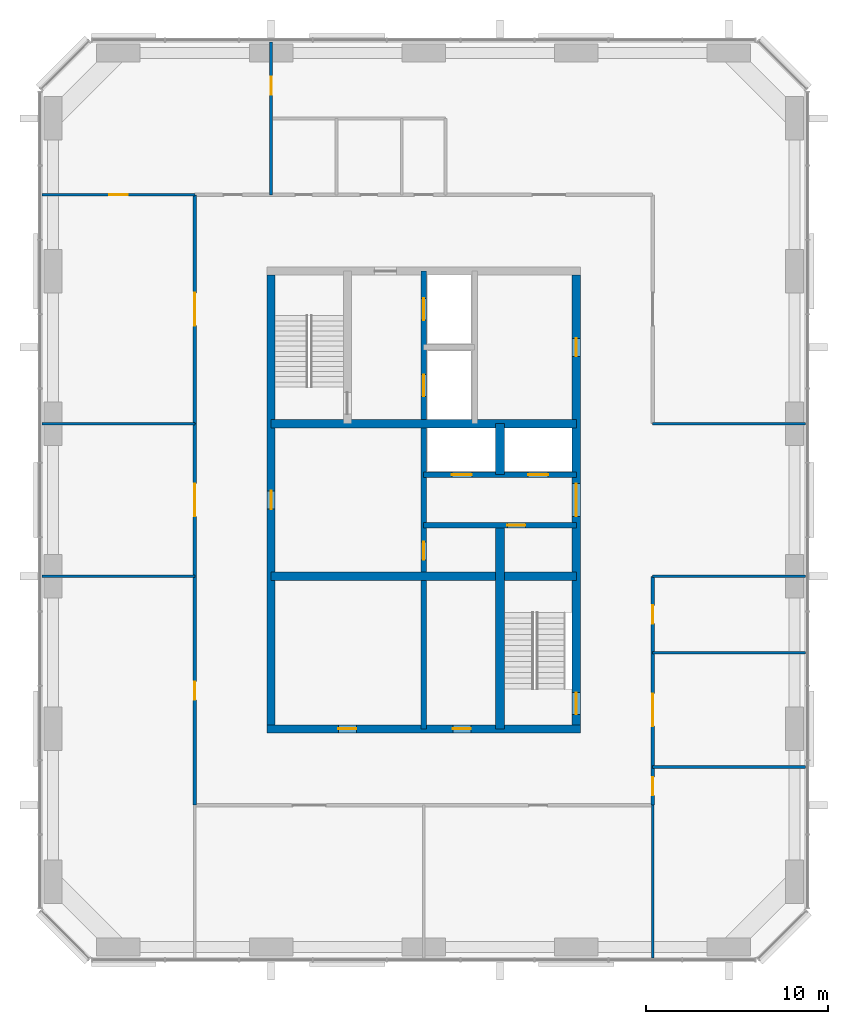
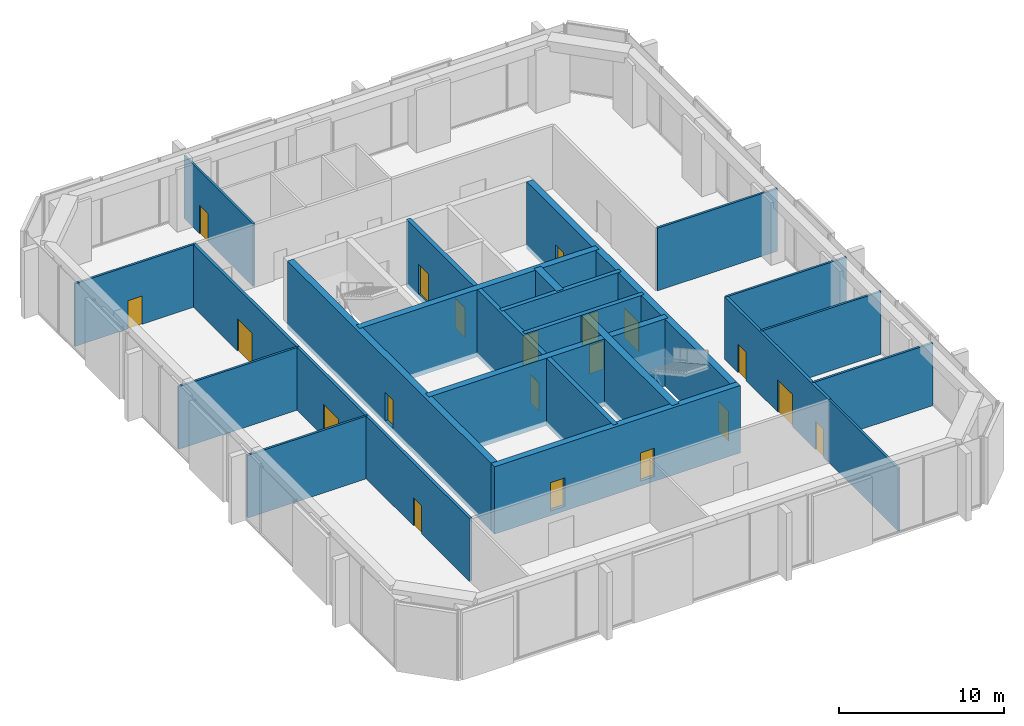
# One storey, part 7 of 9: 22 walls, 20 doors, 20 openings.
"""IFC4 building model written with IfcOpenShell, lengths in metres."""

import ifcopenshell
import ifcopenshell.guid

model = None  # the IFC model being written
_history = None  # IfcOwnerHistory: only IFC2X3 demands one
_inside = {}  # id of a spatial element -> (the spatial element, [elements in it])
_under = {}  # id of a project, library or spatial element -> (it, [spatial elements below it])
_declared = {}  # id of a project -> (the project, [libraries it declares])
_typed = {}  # id of a type object -> (the type object, [elements of that type])
_made_of = {}  # id of a material, layer set ... -> (it, [elements and type objects made of it])


def new_model(schema):
    """Start an empty IFC model of exactly this schema.

    Asked for "IFC4X3", IfcOpenShell would pick the latest addendum, in which some entities
    have other attributes; the version numbers below select the first issue.
    IFC2X3 requires an IfcOwnerHistory on every rooted entity: one is made here for all.
    """
    global model, _history
    if schema == "IFC4X3":
        model = ifcopenshell.file(schema_version=(4, 3, 0, 0))
    else:
        model = ifcopenshell.file(schema=schema)
    _inside.clear()
    _under.clear()
    _declared.clear()
    _typed.clear()
    _made_of.clear()
    _history = None
    if model.schema == "IFC2X3":
        org = make("IfcOrganization", Name="unknown")
        user = make(
            "IfcPersonAndOrganization",
            ThePerson=make("IfcPerson", FamilyName="unknown"),
            TheOrganization=org,
        )
        app = make(
            "IfcApplication",
            ApplicationDeveloper=org,
            Version="unknown",
            ApplicationFullName="unknown",
            ApplicationIdentifier="unknown",
        )
        _history = make(
            "IfcOwnerHistory",
            OwningUser=user,
            OwningApplication=app,
            ChangeAction="ADDED",
            CreationDate=0,
        )
    return model


def make(cls, **values):
    """One entity of the class cls with the attributes given. An attribute that is None is left unset."""
    return model.create_entity(
        cls, **{name: value for name, value in values.items() if value is not None}
    )


def rooted(cls, **values):
    """An entity with a GlobalId (a new one), such as an element, a storey or a relation."""
    return make(cls, GlobalId=ifcopenshell.guid.new(), OwnerHistory=_history, **values)


def si_unit(unit_type, name, prefix=None):
    """IfcSIUnit, for example si_unit("LENGTHUNIT", "METRE", prefix="MILLI")."""
    return make("IfcSIUnit", UnitType=unit_type, Prefix=prefix, Name=name)


def assignment(units):
    """IfcUnitAssignment: the units of a project."""
    return None if units is None else make("IfcUnitAssignment", Units=units)


def point(xyz):
    """IfcCartesianPoint."""
    return None if xyz is None else make("IfcCartesianPoint", Coordinates=xyz)


def direction(xyz):
    """IfcDirection."""
    return None if xyz is None else make("IfcDirection", DirectionRatios=xyz)


def frame(location, z_axis=None, x_axis=None):
    """IfcAxis2Placement3D, a coordinate frame: its origin and axes. An axis left out is left unset."""
    return make(
        "IfcAxis2Placement3D",
        Location=point(location),
        Axis=direction(z_axis),
        RefDirection=direction(x_axis),
    )


def frame_2d(location, x_axis=None):
    """IfcAxis2Placement2D, a coordinate frame in the plane: its origin and x axis."""
    return make(
        "IfcAxis2Placement2D", Location=point(location), RefDirection=direction(x_axis)
    )


def origin():
    """The frame at (0, 0, 0) with its axes left unset."""
    return frame((0.0, 0.0, 0.0))


def place(relative_to, where):
    """IfcLocalPlacement: puts the frame where relative to a parent placement (None: the world)."""
    return make(
        "IfcLocalPlacement", PlacementRelTo=relative_to, RelativePlacement=where
    )


def context(
    kind, dimensions, precision=None, world=None, true_north=None, identifier=None
):
    """IfcGeometricRepresentationContext, for example the 3D "Model" context."""
    return make(
        "IfcGeometricRepresentationContext",
        ContextIdentifier=identifier,
        ContextType=kind,
        CoordinateSpaceDimension=dimensions,
        Precision=precision,
        WorldCoordinateSystem=world,
        TrueNorth=true_north,
    )


def subcontext(parent, identifier, kind, view, scale=None):
    """IfcGeometricRepresentationSubContext, for example "Body" below "Model"."""
    return make(
        "IfcGeometricRepresentationSubContext",
        ContextIdentifier=identifier,
        ContextType=kind,
        ParentContext=parent,
        TargetScale=scale,
        TargetView=view,
    )


def project(units=None, contexts=None):
    """IfcProject with its units and contexts."""
    return rooted(
        "IfcProject",
        Name="project",
        RepresentationContexts=contexts,
        UnitsInContext=assignment(units),
    )


def spatial(cls, under=None, at=None, **own):
    """A site, building, storey or space (cls), placed at a placement, below another one or the project."""
    s = rooted(cls, ObjectPlacement=at, **own)
    if under is not None:
        _under.setdefault(under.id(), (under, []))[1].append(s)
    return s


def profile(cls, at=None, kind="AREA", **sizes):
    """A parametric profile (cls). Its sizes go by their IFC names, for example OverallWidth=200.0."""
    return make(cls, ProfileType=kind, Position=at, **sizes)


def rectangle(**sizes):
    """IfcRectangleProfileDef."""
    return profile("IfcRectangleProfileDef", **sizes)


def extrude(swept, where, along, depth):
    """IfcExtrudedAreaSolid: the profile swept, set in the frame where, extruded along a direction by depth."""
    return make(
        "IfcExtrudedAreaSolid",
        SweptArea=swept,
        Position=where,
        ExtrudedDirection=direction(along),
        Depth=depth,
    )


def shape(context_of_items, identifier, shape_type, items):
    """IfcShapeRepresentation: the items that make up one representation, for example the "Body"."""
    return make(
        "IfcShapeRepresentation",
        ContextOfItems=context_of_items,
        RepresentationIdentifier=identifier,
        RepresentationType=shape_type,
        Items=items,
    )


def material(Name=None, Category=None):
    """IfcMaterial."""
    return make("IfcMaterial", Name=Name, Category=Category)


def layer(
    of_material, thickness, ventilated=None, Name=None, Category=None, Priority=None
):
    """IfcMaterialLayer: one layer of a wall or slab, of a material (None: an air gap)."""
    return make(
        "IfcMaterialLayer",
        Material=of_material,
        LayerThickness=thickness,
        IsVentilated=ventilated,
        Name=Name,
        Category=Category,
        Priority=Priority,
    )


def layer_set(layers, Name=None):
    """IfcMaterialLayerSet."""
    return make("IfcMaterialLayerSet", MaterialLayers=layers, LayerSetName=Name)


def made_of(thing, what):
    """Note that an element or type object is made of a material, layer set ...; save() writes the relation."""
    if what is not None:
        _made_of.setdefault(what.id(), (what, []))[1].append(thing)
    return thing


def type_object(cls, material=None, **own):
    """A type object (cls), such as IfcWallType, which elements share."""
    return made_of(rooted(cls, **own), material)


def element(
    cls,
    number,
    at=None,
    inside=None,
    cuts=None,
    type_object=None,
    material=None,
    context=None,
    identifier="Body",
    shape_type=None,
    held_by="IfcProductDefinitionShape",
    body=None,
    shapes=None,
    **own,
):
    """One element of the class cls, such as IfcWall. Its Tag is "e" and its number.

    at: its placement. inside: the storey or other place that contains it. cuts: it is an
    opening in that element (IfcRelVoidsElement). A single representation is given by context,
    identifier, shape_type and body (its items); several are given by shapes. held_by: the class
    of the entity that holds the representations. save() writes the other relations.
    """
    e = rooted(cls, Tag="e%d" % number, ObjectPlacement=at, **own)
    if body is not None:
        shapes = [shape(context, identifier, shape_type, body)]
    if shapes is not None:
        e.Representation = make(held_by, Representations=shapes)
    if inside is not None:
        _inside.setdefault(inside.id(), (inside, []))[1].append(e)
    if cuts is not None:
        rooted(
            "IfcRelVoidsElement", RelatingBuildingElement=cuts, RelatedOpeningElement=e
        )
    if type_object is not None:
        _typed.setdefault(type_object.id(), (type_object, []))[1].append(e)
    return made_of(e, material)


def fill(opening, filler):
    """IfcRelFillsElement: the door or window that sits in an opening."""
    return rooted(
        "IfcRelFillsElement",
        RelatingOpeningElement=opening,
        RelatedBuildingElement=filler,
    )


def aggregate(whole, parts):
    """IfcRelAggregates: a whole, such as a stair, and the parts it consists of."""
    return rooted("IfcRelAggregates", RelatingObject=whole, RelatedObjects=parts)


def save(model, path):
    """Write the relations noted so far, then the file.

    IfcRelAggregates (storeys below a building ...), IfcRelContainedInSpatialStructure (elements
    in a storey), IfcRelDefinesByType, IfcRelAssociatesMaterial and IfcRelDeclares: one each for
    every whole, place, type object, material and project.
    """
    for whole, parts in _under.values():
        aggregate(whole, parts)
    for where, things in _inside.values():
        rooted(
            "IfcRelContainedInSpatialStructure",
            RelatedElements=things,
            RelatingStructure=where,
        )
    for kind, things in _typed.values():
        rooted("IfcRelDefinesByType", RelatedObjects=things, RelatingType=kind)
    for what, things in _made_of.values():
        rooted("IfcRelAssociatesMaterial", RelatedObjects=things, RelatingMaterial=what)
    for by, libraries in _declared.values():
        rooted("IfcRelDeclares", RelatingContext=by, RelatedDefinitions=libraries)
    model.write(path)


model = new_model("IFC4")

# Units and contexts
model_context = context("Model", 3, precision=1e-05, world=origin(), true_north=direction((0.0, 1.0)))
body_context = subcontext(model_context, "Body", "Model", "MODEL_VIEW")
ifc_project = project(units=[si_unit("LENGTHUNIT", "METRE"), si_unit("AREAUNIT", "SQUARE_METRE"), si_unit("VOLUMEUNIT", "CUBIC_METRE"), si_unit("PLANEANGLEUNIT", "RADIAN"), si_unit("MASSUNIT", "GRAM", prefix="KILO")], contexts=[model_context])

# Site, building, storey
site_placement = place(None, origin())
site = spatial("IfcSite", under=ifc_project, at=site_placement, CompositionType="ELEMENT")
building_placement = place(site_placement, origin())
building = spatial("IfcBuilding", under=site, at=building_placement, Name="Dunama Terrace Hotel", CompositionType="ELEMENT")
storey_placement = place(building_placement, frame((0.0, 0.0, 284.10009765625)))
storey = spatial("IfcBuildingStorey", under=building, at=storey_placement, Name="L73", CompositionType="ELEMENT", Elevation=284.10009765625)

# Wall, openings, doors
ifc_material_1 = material(Name="Concrete C50/60", Category="concrete")
ifc_layer_1 = layer(ifc_material_1, 0.300048828125)
ifc_layer_set_1 = layer_set([ifc_layer_1], Name="Core inner wall 300")
wall_type_1 = type_object("IfcWallType", Name="Core inner wall 300", PredefinedType="SHEAR", material=ifc_layer_set_1)
wall_1_placement = place(storey_placement, frame((33.60009765625, 16.800048828125, -0.35009765625), z_axis=(0.0, 0.0, 1.0), x_axis=(0.0, 1.0, 0.0)))
wall_1 = element("IfcWall", 1, at=wall_1_placement, inside=storey, type_object=wall_type_1, Name="Core inner wall 300 L73", PredefinedType="SHEAR", context=body_context, shape_type="SweptSolid", body=[
    extrude(rectangle(XDim=25.199951171875, YDim=0.300048828125, at=frame_2d((12.60009765625, 0.0))), origin(), (0.0, 0.0, 1.0), 5.0),
])
opening_1_placement = place(wall_1_placement, frame((22.5, 0.0, 0.35009765625)))
opening_1 = element("IfcOpeningElement", 2, at=opening_1_placement, cuts=wall_1, Name="Opening L73-005", PredefinedType="OPENING", context=body_context, shape_type="SweptSolid", body=[
    extrude(rectangle(XDim=1.199951171875, YDim=2.199951171875, at=frame_2d((0.60009765625, 1.10009765625))), frame((0.0, 0.159912109375, 0.0), z_axis=(0.0, -1.0, 0.0), x_axis=(1.0, 0.0, 0.0)), (0.0, 0.0, 1.0), 0.320068359375),
])
opening_2_placement = place(wall_1_placement, frame((18.300048828125, 0.0, 0.35009765625)))
opening_2 = element("IfcOpeningElement", 3, at=opening_2_placement, cuts=wall_1, Name="Opening L73-006", PredefinedType="OPENING", context=body_context, shape_type="SweptSolid", body=[
    extrude(rectangle(XDim=1.199951171875, YDim=2.199951171875, at=frame_2d((0.60009765625, 1.10009765625))), frame((0.0, 0.159912109375, 0.0), z_axis=(0.0, -1.0, 0.0), x_axis=(1.0, 0.0, 0.0)), (0.0, 0.0, 1.0), 0.320068359375),
])
opening_3_placement = place(wall_1_placement, frame((9.300048828125, 0.0, 0.35009765625)))
opening_3 = element("IfcOpeningElement", 4, at=opening_3_placement, cuts=wall_1, Name="Opening L73-008", PredefinedType="OPENING", context=body_context, shape_type="SweptSolid", body=[
    extrude(rectangle(XDim=1.0, YDim=2.10009765625, at=frame_2d((0.5, 1.050048828125))), frame((0.0, 0.159912109375, 0.0), z_axis=(0.0, -1.0, 0.0), x_axis=(1.0, 0.0, 0.0)), (0.0, 0.0, 1.0), 0.320068359375),
])
ifc_material_2 = material(Name="Stainless steel lift door", Category="steel")
door_type_1 = type_object("IfcDoorType", Name="Firefighting lift landing door 1200", OperationType="DOUBLE_DOOR_SLIDING", PredefinedType="DOOR", material=ifc_material_2)
door_1_placement = place(opening_1_placement, origin())
door_1 = element("IfcDoor", 5, at=door_1_placement, inside=storey, type_object=door_type_1, Name="Landing door FL1 L73-005, type LD2", OperationType="DOUBLE_DOOR_SLIDING", OverallHeight=2.199951171875, OverallWidth=1.199951171875, PredefinedType="DOOR", context=body_context, shape_type="SweptSolid", body=[
    extrude(rectangle(XDim=1.199951171875, YDim=2.199951171875, at=frame_2d((0.60009765625, 1.10009765625))), frame((0.0, 0.02490234375, 0.0), z_axis=(0.0, -1.0, 0.0), x_axis=(1.0, 0.0, 0.0)), (0.0, 0.0, 1.0), 0.050048828125),
])
fill(opening_1, door_1)
door_2_placement = place(opening_2_placement, origin())
door_2 = element("IfcDoor", 6, at=door_2_placement, inside=storey, type_object=door_type_1, Name="Landing door FL2 L73-006, type LD2", OperationType="DOUBLE_DOOR_SLIDING", OverallHeight=2.199951171875, OverallWidth=1.199951171875, PredefinedType="DOOR", context=body_context, shape_type="SweptSolid", body=[
    extrude(rectangle(XDim=1.199951171875, YDim=2.199951171875, at=frame_2d((0.60009765625, 1.10009765625))), frame((0.0, 0.02490234375, 0.0), z_axis=(0.0, -1.0, 0.0), x_axis=(1.0, 0.0, 0.0)), (0.0, 0.0, 1.0), 0.050048828125),
])
fill(opening_2, door_2)
ifc_material_3 = material(Name="Timber door with steel frame", Category="steel")
door_type_2 = type_object("IfcDoorType", Name="Service door 1000", OperationType="SINGLE_SWING_LEFT", PredefinedType="DOOR", material=ifc_material_3)
door_3_placement = place(opening_3_placement, frame((1.0, 0.0, 0.0), z_axis=(0.0, 0.0, 1.0), x_axis=(-1.0, 0.0, 0.0)))
door_3 = element("IfcDoor", 7, at=door_3_placement, inside=storey, type_object=door_type_2, Name="Door to service riser L73-008, type D7", OperationType="SINGLE_SWING_RIGHT", OverallHeight=2.10009765625, OverallWidth=1.0, PredefinedType="DOOR", context=body_context, shape_type="SweptSolid", body=[
    extrude(rectangle(XDim=1.0, YDim=2.10009765625, at=frame_2d((0.5, 1.050048828125))), frame((0.0, 0.025146484375, 0.0), z_axis=(0.0, -1.0, 0.0), x_axis=(1.0, 0.0, 0.0)), (0.0, 0.0, 1.0), 0.050048828125),
])
fill(opening_3, door_3)

# Wall, opening, door
wall_2_placement = place(storey_placement, frame((33.60009765625, 28.0, -0.35009765625), z_axis=(0.0, 0.0, 1.0), x_axis=(1.0, 0.0, 0.0)))
wall_2 = element("IfcWall", 8, at=wall_2_placement, inside=storey, type_object=wall_type_1, Name="Core inner wall 300 L73", PredefinedType="SHEAR", context=body_context, shape_type="SweptSolid", body=[
    extrude(rectangle(XDim=8.39990234375, YDim=0.300048828125, at=frame_2d((4.199951171875, 0.0))), origin(), (0.0, 0.0, 1.0), 5.0),
])
opening_4_placement = place(wall_2_placement, frame((4.60009765625, 0.0, 0.35009765625)))
opening_4 = element("IfcOpeningElement", 9, at=opening_4_placement, cuts=wall_2, Name="Opening L73-009", PredefinedType="OPENING", context=body_context, shape_type="SweptSolid", body=[
    extrude(rectangle(XDim=1.0, YDim=2.10009765625, at=frame_2d((0.5, 1.050048828125))), frame((0.0, 0.159912109375, 0.0), z_axis=(0.0, -1.0, 0.0), x_axis=(1.0, 0.0, 0.0)), (0.0, 0.0, 1.0), 0.320068359375),
])
door_4_placement = place(opening_4_placement, frame((1.0, 0.0, 0.0), z_axis=(0.0, 0.0, 1.0), x_axis=(-1.0, 0.0, 0.0)))
door_4 = element("IfcDoor", 10, at=door_4_placement, inside=storey, type_object=door_type_2, Name="Door to club guest pantry L73-009, type D7", OperationType="SINGLE_SWING_RIGHT", OverallHeight=2.10009765625, OverallWidth=1.0, PredefinedType="DOOR", context=body_context, shape_type="SweptSolid", body=[
    extrude(rectangle(XDim=1.0, YDim=2.10009765625, at=frame_2d((0.5, 1.050048828125))), frame((0.0, 0.025146484375, 0.0), z_axis=(0.0, -1.0, 0.0), x_axis=(1.0, 0.0, 0.0)), (0.0, 0.0, 1.0), 0.050048828125),
])
fill(opening_4, door_4)

# Wall, openings, doors
wall_3_placement = place(storey_placement, frame((33.60009765625, 30.800048828125, -0.35009765625), z_axis=(0.0, 0.0, 1.0), x_axis=(1.0, 0.0, 0.0)))
wall_3 = element("IfcWall", 11, at=wall_3_placement, inside=storey, type_object=wall_type_1, Name="Core inner wall 300 L73", PredefinedType="SHEAR", context=body_context, shape_type="SweptSolid", body=[
    extrude(rectangle(XDim=8.39990234375, YDim=0.300048828125, at=frame_2d((4.199951171875, 0.0))), origin(), (0.0, 0.0, 1.0), 5.0),
])
opening_5_placement = place(wall_3_placement, frame((1.550048828125, 0.0, 0.35009765625)))
opening_5 = element("IfcOpeningElement", 12, at=opening_5_placement, cuts=wall_3, Name="Opening L73-003", PredefinedType="OPENING", context=body_context, shape_type="SweptSolid", body=[
    extrude(rectangle(XDim=1.10009765625, YDim=2.199951171875, at=frame_2d((0.550048828125, 1.10009765625))), frame((0.0, 0.159912109375, 0.0), z_axis=(0.0, -1.0, 0.0), x_axis=(1.0, 0.0, 0.0)), (0.0, 0.0, 1.0), 0.320068359375),
])
opening_6_placement = place(wall_3_placement, frame((5.75, 0.0, 0.35009765625)))
opening_6 = element("IfcOpeningElement", 13, at=opening_6_placement, cuts=wall_3, Name="Opening L73-004", PredefinedType="OPENING", context=body_context, shape_type="SweptSolid", body=[
    extrude(rectangle(XDim=1.10009765625, YDim=2.199951171875, at=frame_2d((0.550048828125, 1.10009765625))), frame((0.0, 0.159912109375, 0.0), z_axis=(0.0, -1.0, 0.0), x_axis=(1.0, 0.0, 0.0)), (0.0, 0.0, 1.0), 0.320068359375),
])
ifc_material_4 = material(Name="Stainless steel lift door", Category="steel")
door_type_3 = type_object("IfcDoorType", Name="Lift landing door 1100", OperationType="DOUBLE_DOOR_SLIDING", PredefinedType="DOOR", material=ifc_material_4)
door_5_placement = place(opening_5_placement, origin())
door_5 = element("IfcDoor", 14, at=door_5_placement, inside=storey, type_object=door_type_3, Name="Landing door PD1 L73-003, type LD1", OperationType="DOUBLE_DOOR_SLIDING", OverallHeight=2.199951171875, OverallWidth=1.10009765625, PredefinedType="DOOR", context=body_context, shape_type="SweptSolid", body=[
    extrude(rectangle(XDim=1.10009765625, YDim=2.199951171875, at=frame_2d((0.550048828125, 1.10009765625))), frame((0.0, 0.02490234375, 0.0), z_axis=(0.0, -1.0, 0.0), x_axis=(1.0, 0.0, 0.0)), (0.0, 0.0, 1.0), 0.050048828125),
])
fill(opening_5, door_5)
door_6_placement = place(opening_6_placement, origin())
door_6 = element("IfcDoor", 15, at=door_6_placement, inside=storey, type_object=door_type_3, Name="Landing door PD2 L73-004, type LD1", OperationType="DOUBLE_DOOR_SLIDING", OverallHeight=2.199951171875, OverallWidth=1.10009765625, PredefinedType="DOOR", context=body_context, shape_type="SweptSolid", body=[
    extrude(rectangle(XDim=1.10009765625, YDim=2.199951171875, at=frame_2d((0.550048828125, 1.10009765625))), frame((0.0, 0.02490234375, 0.0), z_axis=(0.0, -1.0, 0.0), x_axis=(1.0, 0.0, 0.0)), (0.0, 0.0, 1.0), 0.050048828125),
])
fill(opening_6, door_6)

# Walls
ifc_material_5 = material(Name="Concrete C50/60", Category="concrete")
ifc_layer_2 = layer(ifc_material_5, 0.449951171875)
ifc_layer_set_2 = layer_set([ifc_layer_2], Name="Core inner wall 450")
wall_type_2 = type_object("IfcWallType", Name="Core inner wall 450", PredefinedType="SHEAR", material=ifc_layer_set_2)
for number, where, z_axis, x_axis, name in (
    (16, (25.199951171875, 25.199951171875, -0.35009765625), (0.0, 0.0, 1.0), (1.0, 0.0, 0.0), "Core inner wall 450 L73"),
    (17, (25.199951171875, 33.60009765625, -0.35009765625), (0.0, 0.0, 1.0), (1.0, 0.0, 0.0), "Core inner wall 450 L73"),
):
    element("IfcWall", number, at=place(storey_placement, frame(where, z_axis=z_axis, x_axis=x_axis)), inside=storey, type_object=wall_type_2, Name=name, PredefinedType="SHEAR", context=body_context, shape_type="SweptSolid", body=[
        extrude(rectangle(XDim=16.800048828125, YDim=0.449951171875, at=frame_2d((8.39990234375, 0.0))), origin(), (0.0, 0.0, 1.0), 5.0),
    ])
ifc_material_6 = material(Name="Concrete C50/60", Category="concrete")
ifc_layer_3 = layer(ifc_material_6, 0.5)
ifc_layer_set_3 = layer_set([ifc_layer_3], Name="Core inner wall 500")
wall_type_3 = type_object("IfcWallType", Name="Core inner wall 500", PredefinedType="SHEAR", material=ifc_layer_set_3)
wall_4_placement = place(storey_placement, frame((37.800048828125, 16.800048828125, -0.35009765625), z_axis=(0.0, 0.0, 1.0), x_axis=(0.0, 1.0, 0.0)))
element("IfcWall", 18, at=wall_4_placement, inside=storey, type_object=wall_type_3, Name="Core inner wall 500 L73", PredefinedType="SHEAR", context=body_context, shape_type="SweptSolid", body=[
    extrude(rectangle(XDim=11.199951171875, YDim=0.5, at=frame_2d((5.60009765625, 0.0))), origin(), (0.0, 0.0, 1.0), 5.0),
])
wall_5_placement = place(storey_placement, frame((37.800048828125, 30.800048828125, -0.35009765625), z_axis=(0.0, 0.0, 1.0), x_axis=(0.0, 1.0, 0.0)))
element("IfcWall", 19, at=wall_5_placement, inside=storey, type_object=wall_type_3, Name="Core inner wall 500 L73", PredefinedType="SHEAR", context=body_context, shape_type="SweptSolid", body=[
    extrude(rectangle(XDim=2.800048828125, YDim=0.5, at=frame_2d((1.39990234375, 0.0))), origin(), (0.0, 0.0, 1.0), 5.0),
])

# Wall, openings, doors
ifc_material_7 = material(Name="Concrete C50/60", Category="concrete")
ifc_layer_4 = layer(ifc_material_7, 0.449951171875)
ifc_layer_set_4 = layer_set([ifc_layer_4], Name="Core wall 450")
wall_type_4 = type_object("IfcWallType", Name="Core wall 450", PredefinedType="SHEAR", material=ifc_layer_set_4)
wall_6_placement = place(storey_placement, frame((24.97509765625, 16.800048828125, -0.35009765625), z_axis=(0.0, 0.0, 1.0), x_axis=(1.0, 0.0, 0.0)))
wall_6 = element("IfcWall", 20, at=wall_6_placement, inside=storey, type_object=wall_type_4, Name="Core wall south L73", PredefinedType="SHEAR", context=body_context, shape_type="SweptSolid", body=[
    extrude(rectangle(XDim=17.25, YDim=0.449951171875, at=frame_2d((8.625, 0.0))), origin(), (0.0, 0.0, 1.0), 5.0),
])
opening_7_placement = place(wall_6_placement, frame((3.925048828125, 0.0, 0.35009765625)))
opening_7 = element("IfcOpeningElement", 21, at=opening_7_placement, cuts=wall_6, Name="Opening L73-013", PredefinedType="OPENING", context=body_context, shape_type="SweptSolid", body=[
    extrude(rectangle(XDim=1.0, YDim=2.10009765625, at=frame_2d((0.5, 1.050048828125))), frame((0.0, 0.23486328125, 0.0), z_axis=(0.0, -1.0, 0.0), x_axis=(1.0, 0.0, 0.0)), (0.0, 0.0, 1.0), 0.469970703125),
])
opening_8_placement = place(wall_6_placement, frame((10.22509765625, 0.0, 0.35009765625)))
opening_8 = element("IfcOpeningElement", 22, at=opening_8_placement, cuts=wall_6, Name="Opening L73-014", PredefinedType="OPENING", context=body_context, shape_type="SweptSolid", body=[
    extrude(rectangle(XDim=1.0, YDim=2.10009765625, at=frame_2d((0.5, 1.050048828125))), frame((0.0, 0.23486328125, 0.0), z_axis=(0.0, -1.0, 0.0), x_axis=(1.0, 0.0, 0.0)), (0.0, 0.0, 1.0), 0.469970703125),
])
door_7_placement = place(opening_7_placement, origin())
door_7 = element("IfcDoor", 23, at=door_7_placement, inside=storey, type_object=door_type_2, Name="Door to floor air handling room L73-013, type D7", OperationType="SINGLE_SWING_LEFT", OverallHeight=2.10009765625, OverallWidth=1.0, PredefinedType="DOOR", context=body_context, shape_type="SweptSolid", body=[
    extrude(rectangle(XDim=1.0, YDim=2.10009765625, at=frame_2d((0.5, 1.050048828125))), frame((0.0, 0.02490234375, 0.0), z_axis=(0.0, -1.0, 0.0), x_axis=(1.0, 0.0, 0.0)), (0.0, 0.0, 1.0), 0.050048828125),
])
fill(opening_7, door_7)
door_8_placement = place(opening_8_placement, origin())
door_8 = element("IfcDoor", 24, at=door_8_placement, inside=storey, type_object=door_type_2, Name="Door to water riser room L73-014, type D7", OperationType="SINGLE_SWING_RIGHT", OverallHeight=2.10009765625, OverallWidth=1.0, PredefinedType="DOOR", context=body_context, shape_type="SweptSolid", body=[
    extrude(rectangle(XDim=1.0, YDim=2.10009765625, at=frame_2d((0.5, 1.050048828125))), frame((0.0, 0.02490234375, 0.0), z_axis=(0.0, -1.0, 0.0), x_axis=(1.0, 0.0, 0.0)), (0.0, 0.0, 1.0), 0.050048828125),
])
fill(opening_8, door_8)

wall_7_placement = place(storey_placement, frame((42.0, 17.02490234375, -0.35009765625), z_axis=(0.0, 0.0, 1.0), x_axis=(0.0, 1.0, 0.0)))
wall_7 = element("IfcWall", 25, at=wall_7_placement, inside=storey, type_object=wall_type_4, Name="Core wall east L73", PredefinedType="SHEAR", context=body_context, shape_type="SweptSolid", body=[
    extrude(rectangle(XDim=24.75, YDim=0.449951171875, at=frame_2d((12.375, 0.0))), origin(), (0.0, 0.0, 1.0), 5.0),
])
opening_9_placement = place(wall_7_placement, frame((0.574951171875, 0.0, 0.35009765625)))
opening_9 = element("IfcOpeningElement", 26, at=opening_9_placement, cuts=wall_7, Name="Opening L73-002", PredefinedType="OPENING", context=body_context, shape_type="SweptSolid", body=[
    extrude(rectangle(XDim=1.199951171875, YDim=2.199951171875, at=frame_2d((0.60009765625, 1.10009765625))), frame((0.0, 0.23486328125, 0.0), z_axis=(0.0, -1.0, 0.0), x_axis=(1.0, 0.0, 0.0)), (0.0, 0.0, 1.0), 0.469970703125),
])
opening_10_placement = place(wall_7_placement, frame((11.47509765625, 0.0, 0.35009765625)))
opening_10 = element("IfcOpeningElement", 27, at=opening_10_placement, cuts=wall_7, Name="Opening L73-010", PredefinedType="OPENING", context=body_context, shape_type="SweptSolid", body=[
    extrude(rectangle(XDim=1.800048828125, YDim=2.199951171875, at=frame_2d((0.89990234375, 1.10009765625))), frame((0.0, 0.23486328125, 0.0), z_axis=(0.0, -1.0, 0.0), x_axis=(1.0, 0.0, 0.0)), (0.0, 0.0, 1.0), 0.469970703125),
])
opening_11_placement = place(wall_7_placement, frame((20.27490234375, 0.0, 0.35009765625)))
opening_11 = element("IfcOpeningElement", 28, at=opening_11_placement, cuts=wall_7, Name="Opening L73-012", PredefinedType="OPENING", context=body_context, shape_type="SweptSolid", body=[
    extrude(rectangle(XDim=1.0, YDim=2.10009765625, at=frame_2d((0.5, 1.050048828125))), frame((0.0, 0.23486328125, 0.0), z_axis=(0.0, -1.0, 0.0), x_axis=(1.0, 0.0, 0.0)), (0.0, 0.0, 1.0), 0.469970703125),
])
ifc_material_8 = material(Name="Timber door with steel frame", Category="steel")
door_type_4 = type_object("IfcDoorType", Name="Lift lobby double door 1800", OperationType="DOUBLE_DOOR_DOUBLE_SWING", PredefinedType="DOOR", material=ifc_material_8)
door_9_placement = place(opening_10_placement, origin())
door_9 = element("IfcDoor", 29, at=door_9_placement, inside=storey, type_object=door_type_4, Name="Door to lift lobby L73-010, type D3", OperationType="DOUBLE_DOOR_DOUBLE_SWING", OverallHeight=2.199951171875, OverallWidth=1.800048828125, PredefinedType="DOOR", context=body_context, shape_type="SweptSolid", body=[
    extrude(rectangle(XDim=1.800048828125, YDim=2.199951171875, at=frame_2d((0.89990234375, 1.10009765625))), frame((0.0, 0.02490234375, 0.0), z_axis=(0.0, -1.0, 0.0), x_axis=(1.0, 0.0, 0.0)), (0.0, 0.0, 1.0), 0.050048828125),
])
fill(opening_10, door_9)
door_10_placement = place(opening_11_placement, origin())
door_10 = element("IfcDoor", 30, at=door_10_placement, inside=storey, type_object=door_type_2, Name="Door to club pantry store L73-012, type D7", OperationType="SINGLE_SWING_LEFT", OverallHeight=2.10009765625, OverallWidth=1.0, PredefinedType="DOOR", context=body_context, shape_type="SweptSolid", body=[
    extrude(rectangle(XDim=1.0, YDim=2.10009765625, at=frame_2d((0.5, 1.050048828125))), frame((0.0, 0.02490234375, 0.0), z_axis=(0.0, -1.0, 0.0), x_axis=(1.0, 0.0, 0.0)), (0.0, 0.0, 1.0), 0.050048828125),
])
fill(opening_11, door_10)
ifc_material_9 = material(Name="Timber door with steel frame", Category="steel")
door_type_5 = type_object("IfcDoorType", Name="Stair door 1200", OperationType="SINGLE_SWING_LEFT", PredefinedType="DOOR", material=ifc_material_9)
door_11_placement = place(opening_9_placement, origin())
door_11 = element("IfcDoor", 31, at=door_11_placement, inside=storey, type_object=door_type_5, Name="Stair door ST2 L73-002, type D5", OperationType="SINGLE_SWING_LEFT", OverallHeight=2.199951171875, OverallWidth=1.199951171875, PredefinedType="DOOR", context=body_context, shape_type="SweptSolid", body=[
    extrude(rectangle(XDim=1.199951171875, YDim=2.199951171875, at=frame_2d((0.60009765625, 1.10009765625))), frame((0.0, 0.02490234375, 0.0), z_axis=(0.0, -1.0, 0.0), x_axis=(1.0, 0.0, 0.0)), (0.0, 0.0, 1.0), 0.050048828125),
])
fill(opening_9, door_11)

# Wall, opening, door
wall_8_placement = place(storey_placement, frame((25.199951171875, 41.77490234375, -0.35009765625), z_axis=(0.0, 0.0, 1.0), x_axis=(0.0, -1.0, 0.0)))
wall_8 = element("IfcWall", 32, at=wall_8_placement, inside=storey, type_object=wall_type_4, Name="Core wall west L73", PredefinedType="SHEAR", context=body_context, shape_type="SweptSolid", body=[
    extrude(rectangle(XDim=24.75, YDim=0.449951171875, at=frame_2d((12.375, 0.0))), origin(), (0.0, 0.0, 1.0), 5.0),
])
opening_12_placement = place(wall_8_placement, frame((11.875, 0.0, 0.35009765625)))
opening_12 = element("IfcOpeningElement", 33, at=opening_12_placement, cuts=wall_8, Name="Opening L73-007", PredefinedType="OPENING", context=body_context, shape_type="SweptSolid", body=[
    extrude(rectangle(XDim=1.0, YDim=2.10009765625, at=frame_2d((0.5, 1.050048828125))), frame((0.0, 0.23486328125, 0.0), z_axis=(0.0, -1.0, 0.0), x_axis=(1.0, 0.0, 0.0)), (0.0, 0.0, 1.0), 0.469970703125),
])
door_12_placement = place(opening_12_placement, origin())
door_12 = element("IfcDoor", 34, at=door_12_placement, inside=storey, type_object=door_type_2, Name="Door to riser room L73-007, type D7", OperationType="SINGLE_SWING_RIGHT", OverallHeight=2.10009765625, OverallWidth=1.0, PredefinedType="DOOR", context=body_context, shape_type="SweptSolid", body=[
    extrude(rectangle(XDim=1.0, YDim=2.10009765625, at=frame_2d((0.5, 1.050048828125))), frame((0.0, 0.02490234375, 0.0), z_axis=(0.0, -1.0, 0.0), x_axis=(1.0, 0.0, 0.0)), (0.0, 0.0, 1.0), 0.050048828125),
])
fill(opening_12, door_12)

# Wall, openings, doors
ifc_material_10 = material(Name="Concrete blockwork", Category="masonry")
ifc_layer_5 = layer(ifc_material_10, 0.199951171875)
ifc_layer_set_5 = layer_set([ifc_layer_5], Name="Corridor partition 200")
wall_type_5 = type_object("IfcWallType", Name="Corridor partition 200", PredefinedType="PARTITIONING", material=ifc_layer_set_5)
wall_9_placement = place(storey_placement, frame((21.0, 12.60009765625, 0.0), z_axis=(0.0, 0.0, 1.0), x_axis=(0.0, 1.0, 0.0)))
wall_9 = element("IfcWall", 35, at=wall_9_placement, inside=storey, type_object=wall_type_5, Name="Corridor partition 200 L73", PredefinedType="PARTITIONING", context=body_context, shape_type="SweptSolid", body=[
    extrude(rectangle(XDim=21.0, YDim=0.199951171875, at=frame_2d((10.5, 0.0))), origin(), (0.0, 0.0, 1.0), 4.64990234375),
])
opening_13_placement = place(wall_9_placement, frame((15.89990234375, 0.0, 0.0)))
opening_13 = element("IfcOpeningElement", 36, at=opening_13_placement, cuts=wall_9, Name="Opening L73-024", PredefinedType="OPENING", context=body_context, shape_type="SweptSolid", body=[
    extrude(rectangle(XDim=1.800048828125, YDim=2.39990234375, at=frame_2d((0.89990234375, 1.199951171875))), frame((0.0, 0.10986328125, 0.0), z_axis=(0.0, -1.0, 0.0), x_axis=(1.0, 0.0, 0.0)), (0.0, 0.0, 1.0), 0.219970703125),
])
opening_14_placement = place(wall_9_placement, frame((5.800048828125, 0.0, 0.0)))
opening_14 = element("IfcOpeningElement", 37, at=opening_14_placement, cuts=wall_9, Name="Opening L73-025", PredefinedType="OPENING", context=body_context, shape_type="SweptSolid", body=[
    extrude(rectangle(XDim=1.0, YDim=2.10009765625, at=frame_2d((0.5, 1.050048828125))), frame((0.0, 0.10986328125, 0.0), z_axis=(0.0, -1.0, 0.0), x_axis=(1.0, 0.0, 0.0)), (0.0, 0.0, 1.0), 0.219970703125),
])
ifc_material_11 = material(Name="Aluminium-framed glazed door", Category="aluminium")
door_type_6 = type_object("IfcDoorType", Name="Glazed double door 1800", OperationType="DOUBLE_DOOR_DOUBLE_SWING", PredefinedType="DOOR", material=ifc_material_11)
door_13_placement = place(opening_13_placement, origin())
door_13 = element("IfcDoor", 38, at=door_13_placement, inside=storey, type_object=door_type_6, Name="Door to club library L73-024, type D8", OperationType="DOUBLE_DOOR_DOUBLE_SWING", OverallHeight=2.39990234375, OverallWidth=1.800048828125, PredefinedType="DOOR", context=body_context, shape_type="SweptSolid", body=[
    extrude(rectangle(XDim=1.800048828125, YDim=2.39990234375, at=frame_2d((0.89990234375, 1.199951171875))), frame((0.0, 0.02490234375, 0.0), z_axis=(0.0, -1.0, 0.0), x_axis=(1.0, 0.0, 0.0)), (0.0, 0.0, 1.0), 0.050048828125),
])
fill(opening_13, door_13)
door_14_placement = place(opening_14_placement, origin())
door_14 = element("IfcDoor", 39, at=door_14_placement, inside=storey, type_object=door_type_2, Name="Door to club business office L73-025, type D7", OperationType="SINGLE_SWING_LEFT", OverallHeight=2.10009765625, OverallWidth=1.0, PredefinedType="DOOR", context=body_context, shape_type="SweptSolid", body=[
    extrude(rectangle(XDim=1.0, YDim=2.10009765625, at=frame_2d((0.5, 1.050048828125))), frame((0.0, 0.02490234375, 0.0), z_axis=(0.0, -1.0, 0.0), x_axis=(1.0, 0.0, 0.0)), (0.0, 0.0, 1.0), 0.050048828125),
])
fill(opening_14, door_14)

wall_10_placement = place(storey_placement, frame((46.199951171875, 12.60009765625, 0.0), z_axis=(0.0, 0.0, 1.0), x_axis=(0.0, 1.0, 0.0)))
wall_10 = element("IfcWall", 40, at=wall_10_placement, inside=storey, type_object=wall_type_5, Name="Corridor partition 200 L73", PredefinedType="PARTITIONING", context=body_context, shape_type="SweptSolid", body=[
    extrude(rectangle(XDim=12.599853515625, YDim=0.199951171875, at=frame_2d((6.2998046875, 0.0))), origin(), (0.0, 0.0, 1.0), 4.64990234375),
])
opening_15_placement = place(wall_10_placement, frame((4.35009765625, 0.0, 0.0)))
opening_15 = element("IfcOpeningElement", 41, at=opening_15_placement, cuts=wall_10, Name="Opening L73-028", PredefinedType="OPENING", context=body_context, shape_type="SweptSolid", body=[
    extrude(rectangle(XDim=1.800048828125, YDim=2.39990234375, at=frame_2d((0.89990234375, 1.199951171875))), frame((0.0, 0.10986328125, 0.0), z_axis=(0.0, -1.0, 0.0), x_axis=(1.0, 0.0, 0.0)), (0.0, 0.0, 1.0), 0.219970703125),
])
opening_16_placement = place(wall_10_placement, frame((0.550048828125, 0.0, 0.0)))
opening_16 = element("IfcOpeningElement", 42, at=opening_16_placement, cuts=wall_10, Name="Opening L73-029", PredefinedType="OPENING", context=body_context, shape_type="SweptSolid", body=[
    extrude(rectangle(XDim=1.0, YDim=2.10009765625, at=frame_2d((0.5, 1.050048828125))), frame((0.0, 0.10986328125, 0.0), z_axis=(0.0, -1.0, 0.0), x_axis=(1.0, 0.0, 0.0)), (0.0, 0.0, 1.0), 0.219970703125),
])
opening_17_placement = place(wall_10_placement, frame((10.0, 0.0, 0.0)))
opening_17 = element("IfcOpeningElement", 43, at=opening_17_placement, cuts=wall_10, Name="Opening L73-030", PredefinedType="OPENING", context=body_context, shape_type="SweptSolid", body=[
    extrude(rectangle(XDim=1.0, YDim=2.10009765625, at=frame_2d((0.5, 1.050048828125))), frame((0.0, 0.10986328125, 0.0), z_axis=(0.0, -1.0, 0.0), x_axis=(1.0, 0.0, 0.0)), (0.0, 0.0, 1.0), 0.219970703125),
])
door_15_placement = place(opening_15_placement, origin())
door_15 = element("IfcDoor", 44, at=door_15_placement, inside=storey, type_object=door_type_6, Name="Door to club boardroom L73-028, type D8", OperationType="DOUBLE_DOOR_DOUBLE_SWING", OverallHeight=2.39990234375, OverallWidth=1.800048828125, PredefinedType="DOOR", context=body_context, shape_type="SweptSolid", body=[
    extrude(rectangle(XDim=1.800048828125, YDim=2.39990234375, at=frame_2d((0.89990234375, 1.199951171875))), frame((0.0, 0.02490234375, 0.0), z_axis=(0.0, -1.0, 0.0), x_axis=(1.0, 0.0, 0.0)), (0.0, 0.0, 1.0), 0.050048828125),
])
fill(opening_15, door_15)
door_16_placement = place(opening_16_placement, frame((1.0, 0.0, 0.0), z_axis=(0.0, 0.0, 1.0), x_axis=(-1.0, 0.0, 0.0)))
door_16 = element("IfcDoor", 45, at=door_16_placement, inside=storey, type_object=door_type_2, Name="Door to club management office L73-029, type D7", OperationType="SINGLE_SWING_RIGHT", OverallHeight=2.10009765625, OverallWidth=1.0, PredefinedType="DOOR", context=body_context, shape_type="SweptSolid", body=[
    extrude(rectangle(XDim=1.0, YDim=2.10009765625, at=frame_2d((0.5, 1.050048828125))), frame((0.0, 0.025146484375, 0.0), z_axis=(0.0, -1.0, 0.0), x_axis=(1.0, 0.0, 0.0)), (0.0, 0.0, 1.0), 0.050048828125),
])
fill(opening_16, door_16)
door_17_placement = place(opening_17_placement, frame((1.0, 0.0, 0.0), z_axis=(0.0, 0.0, 1.0), x_axis=(-1.0, 0.0, 0.0)))
door_17 = element("IfcDoor", 46, at=door_17_placement, inside=storey, type_object=door_type_2, Name="Door to club store L73-030, type D7", OperationType="SINGLE_SWING_LEFT", OverallHeight=2.10009765625, OverallWidth=1.0, PredefinedType="DOOR", context=body_context, shape_type="SweptSolid", body=[
    extrude(rectangle(XDim=1.0, YDim=2.10009765625, at=frame_2d((0.5, 1.050048828125))), frame((0.0, 0.025146484375, 0.0), z_axis=(0.0, -1.0, 0.0), x_axis=(1.0, 0.0, 0.0)), (0.0, 0.0, 1.0), 0.050048828125),
])
fill(opening_17, door_17)

# Wall, opening, door
wall_11_placement = place(storey_placement, frame((21.0, 46.199951171875, 0.0), z_axis=(0.0, 0.0, 1.0), x_axis=(0.0, -1.0, 0.0)))
wall_11 = element("IfcWall", 47, at=wall_11_placement, inside=storey, type_object=wall_type_5, Name="Corridor partition 200 L73", PredefinedType="PARTITIONING", context=body_context, shape_type="SweptSolid", body=[
    extrude(rectangle(XDim=12.599853515625, YDim=0.199951171875, at=frame_2d((6.2998046875, 0.0))), origin(), (0.0, 0.0, 1.0), 4.64990234375),
])
opening_18_placement = place(wall_11_placement, frame((5.39990234375, 0.0, 0.0)))
opening_18 = element("IfcOpeningElement", 48, at=opening_18_placement, cuts=wall_11, Name="Opening L73-023", PredefinedType="OPENING", context=body_context, shape_type="SweptSolid", body=[
    extrude(rectangle(XDim=1.800048828125, YDim=2.39990234375, at=frame_2d((0.89990234375, 1.199951171875))), frame((0.0, 0.10986328125, 0.0), z_axis=(0.0, -1.0, 0.0), x_axis=(1.0, 0.0, 0.0)), (0.0, 0.0, 1.0), 0.219970703125),
])
door_18_placement = place(opening_18_placement, origin())
door_18 = element("IfcDoor", 49, at=door_18_placement, inside=storey, type_object=door_type_6, Name="Door to club private dining room L73-023, type D8", OperationType="DOUBLE_DOOR_DOUBLE_SWING", OverallHeight=2.39990234375, OverallWidth=1.800048828125, PredefinedType="DOOR", context=body_context, shape_type="SweptSolid", body=[
    extrude(rectangle(XDim=1.800048828125, YDim=2.39990234375, at=frame_2d((0.89990234375, 1.199951171875))), frame((0.0, 0.02490234375, 0.0), z_axis=(0.0, -1.0, 0.0), x_axis=(1.0, 0.0, 0.0)), (0.0, 0.0, 1.0), 0.050048828125),
])
fill(opening_18, door_18)

ifc_material_12 = material(Name="Gypsum board partition", Category="masonry")
ifc_layer_6 = layer(ifc_material_12, 0.14990234375)
ifc_layer_set_6 = layer_set([ifc_layer_6], Name="Room partition 150")
wall_type_6 = type_object("IfcWallType", Name="Room partition 150", PredefinedType="PARTITIONING", material=ifc_layer_set_6)
wall_12_placement = place(storey_placement, frame((25.199951171875, 46.199951171875, 0.0), z_axis=(0.0, 0.0, 1.0), x_axis=(0.0, 1.0, 0.0)))
wall_12 = element("IfcWall", 50, at=wall_12_placement, inside=storey, type_object=wall_type_6, Name="Room partition 150 L73", PredefinedType="PARTITIONING", context=body_context, shape_type="SweptSolid", body=[
    extrude(rectangle(XDim=8.41796875, YDim=0.14990234375, at=frame_2d((4.208984375, 0.0))), origin(), (0.0, 0.0, 1.0), 4.64990234375),
])
opening_19_placement = place(wall_12_placement, frame((5.5, 0.0, 0.0)))
opening_19 = element("IfcOpeningElement", 51, at=opening_19_placement, cuts=wall_12, Name="Opening L73-017", PredefinedType="OPENING", context=body_context, shape_type="SweptSolid", body=[
    extrude(rectangle(XDim=1.0, YDim=2.10009765625, at=frame_2d((0.5, 1.050048828125))), frame((0.0, 0.0849609375, 0.0), z_axis=(0.0, -1.0, 0.0), x_axis=(1.0, 0.0, 0.0)), (0.0, 0.0, 1.0), 0.169921875),
])
door_19_placement = place(opening_19_placement, origin())
door_19 = element("IfcDoor", 52, at=door_19_placement, inside=storey, type_object=door_type_2, Name="Door to club kitchen L73-017, type D7", OperationType="SINGLE_SWING_RIGHT", OverallHeight=2.10009765625, OverallWidth=1.0, PredefinedType="DOOR", context=body_context, shape_type="SweptSolid", body=[
    extrude(rectangle(XDim=1.0, YDim=2.10009765625, at=frame_2d((0.5, 1.050048828125))), frame((0.0, 0.02490234375, 0.0), z_axis=(0.0, -1.0, 0.0), x_axis=(1.0, 0.0, 0.0)), (0.0, 0.0, 1.0), 0.050048828125),
])
fill(opening_19, door_19)

# Walls
wall_13_placement = place(storey_placement, frame((46.199951171875, 4.181884765625, 0.0), z_axis=(0.0, 0.0, 1.0), x_axis=(0.0, 1.0, 0.0)))
element("IfcWall", 53, at=wall_13_placement, inside=storey, type_object=wall_type_6, Name="Room partition 150 L73", PredefinedType="PARTITIONING", context=body_context, shape_type="SweptSolid", body=[
    extrude(rectangle(XDim=8.418212890625, YDim=0.14990234375, at=frame_2d((4.208984375, 0.0))), origin(), (0.0, 0.0, 1.0), 4.64990234375),
])
for number, where, z_axis, x_axis, name in (
    (54, (46.199951171875, 14.699951171875, 0.0), (0.0, 0.0, 1.0), (1.0, 0.0, 0.0), "Room partition 150 L73"),
    (55, (46.199951171875, 21.0, 0.0), (0.0, 0.0, 1.0), (1.0, 0.0, 0.0), "Room partition 150 L73"),
    (56, (12.58203125, 25.199951171875, 0.0), (0.0, 0.0, 1.0), (1.0, 0.0, 0.0), "Room partition 150 L73"),
    (57, (46.199951171875, 25.199951171875, 0.0), (0.0, 0.0, 1.0), (1.0, 0.0, 0.0), "Room partition 150 L73"),
    (58, (12.58203125, 33.60009765625, 0.0), (0.0, 0.0, 1.0), (1.0, 0.0, 0.0), "Room partition 150 L73"),
    (59, (46.199951171875, 33.60009765625, 0.0), (0.0, 0.0, 1.0), (1.0, 0.0, 0.0), "Room partition 150 L73"),
):
    element("IfcWall", number, at=place(storey_placement, frame(where, z_axis=z_axis, x_axis=x_axis)), inside=storey, type_object=wall_type_6, Name=name, PredefinedType="PARTITIONING", context=body_context, shape_type="SweptSolid", body=[
        extrude(rectangle(XDim=8.41796875, YDim=0.14990234375, at=frame_2d((4.208984375, 0.0))), origin(), (0.0, 0.0, 1.0), 4.64990234375),
    ])

# Wall, opening, door
wall_14_placement = place(storey_placement, frame((12.58203125, 46.199951171875, 0.0), z_axis=(0.0, 0.0, 1.0), x_axis=(1.0, 0.0, 0.0)))
wall_14 = element("IfcWall", 60, at=wall_14_placement, inside=storey, type_object=wall_type_6, Name="Room partition 150 L73", PredefinedType="PARTITIONING", context=body_context, shape_type="SweptSolid", body=[
    extrude(rectangle(XDim=8.41796875, YDim=0.14990234375, at=frame_2d((4.208984375, 0.0))), origin(), (0.0, 0.0, 1.0), 4.64990234375),
])
opening_20_placement = place(wall_14_placement, frame((3.718017578125, 0.0, 0.0)))
opening_20 = element("IfcOpeningElement", 61, at=opening_20_placement, cuts=wall_14, Name="Opening L73-018", PredefinedType="OPENING", context=body_context, shape_type="SweptSolid", body=[
    extrude(rectangle(XDim=1.0, YDim=2.10009765625, at=frame_2d((0.5, 1.050048828125))), frame((0.0, 0.0849609375, 0.0), z_axis=(0.0, -1.0, 0.0), x_axis=(1.0, 0.0, 0.0)), (0.0, 0.0, 1.0), 0.169921875),
])
door_20_placement = place(opening_20_placement, origin())
door_20 = element("IfcDoor", 62, at=door_20_placement, inside=storey, type_object=door_type_2, Name="Door to club kitchen L73-018, type D7", OperationType="SINGLE_SWING_LEFT", OverallHeight=2.10009765625, OverallWidth=1.0, PredefinedType="DOOR", context=body_context, shape_type="SweptSolid", body=[
    extrude(rectangle(XDim=1.0, YDim=2.10009765625, at=frame_2d((0.5, 1.050048828125))), frame((0.0, 0.02490234375, 0.0), z_axis=(0.0, -1.0, 0.0), x_axis=(1.0, 0.0, 0.0)), (0.0, 0.0, 1.0), 0.050048828125),
])
fill(opening_20, door_20)

save(model, "model.ifc")
